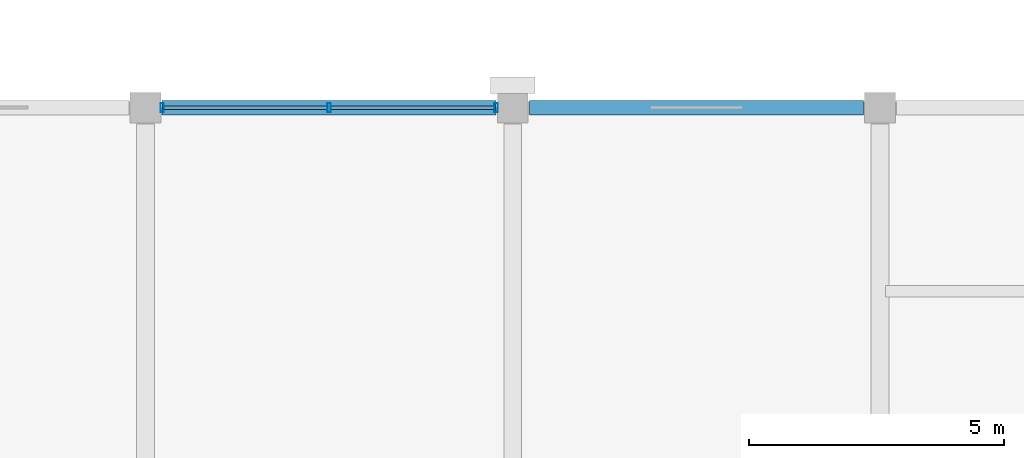
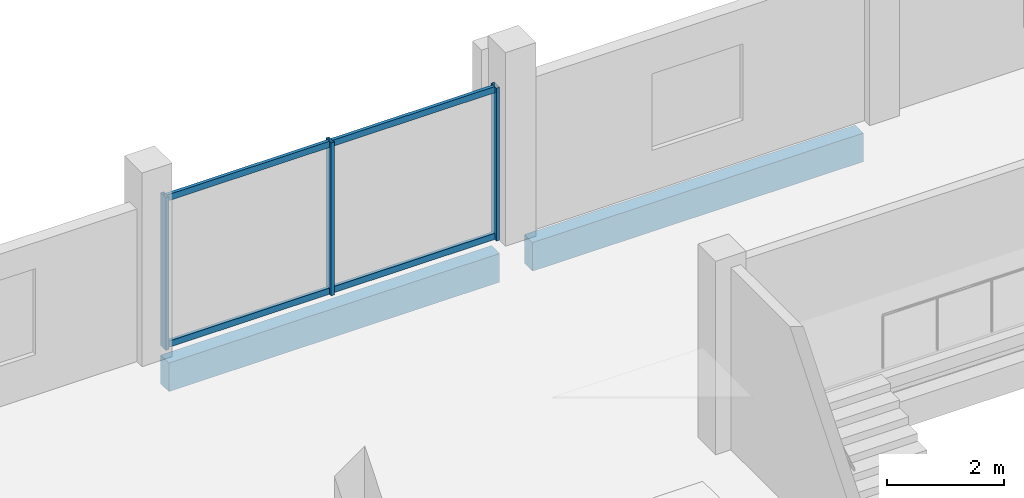
# One storey, part 21 of 108: 7 members, 2 beams, 1 element without a shape of its own.
"""IFC4 building model written with IfcOpenShell, lengths in metres."""

from ifc_helpers import new_model, si_unit, direction, frame, origin, origin_2d, place, context, subcontext, project, spatial, rectangle, hollow_rectangle, extrude, material, layer, layer_set, material_profile, profile_set, type_object, element, aggregate, save


model = new_model("IFC4")

# Units and contexts
model_context = context("Model", 3, precision=1e-05, world=origin(), true_north=direction((0.0, 1.0)))
body_context = subcontext(model_context, "Body", "Model", "MODEL_VIEW")
ifc_project = project(units=[si_unit("LENGTHUNIT", "METRE"), si_unit("AREAUNIT", "SQUARE_METRE"), si_unit("VOLUMEUNIT", "CUBIC_METRE"), si_unit("PLANEANGLEUNIT", "RADIAN"), si_unit("MASSUNIT", "GRAM", prefix="KILO")], contexts=[model_context])

# Site, building, storey
site_placement = place(None, origin())
site = spatial("IfcSite", under=ifc_project, at=site_placement, CompositionType="ELEMENT")
building_placement = place(site_placement, origin())
building = spatial("IfcBuilding", under=site, at=building_placement, Name="Kangsadwip Square Police Headquarters", CompositionType="ELEMENT")
storey_placement = place(building_placement, frame((0.0, 0.0, 9.449951171875)))
storey = spatial("IfcBuildingStorey", under=building, at=storey_placement, Name="L02", CompositionType="ELEMENT", Elevation=9.449951171875)

# Curtain wall, members
ifc_material_1 = material(Name="Thermally broken anodised aluminium AW-6063-T6", Category="aluminium")
ifc_layer = layer(ifc_material_1, 0.159912109375)
ifc_layer_set = layer_set([ifc_layer], Name="Thermally broken anodised aluminium AW-6063-T6")
curtain_wall_type = type_object("IfcCurtainWallType", Name="UnitisedCw6610x3200", PredefinedType="NOTDEFINED", material=ifc_layer_set)
curtain_wall_placement = place(storey_placement, origin())
curtain_wall = element("IfcCurtainWall", 1, at=curtain_wall_placement, inside=storey, type_object=curtain_wall_type, Name="Curtain Wall CW-L02-0075-1152", PredefinedType="NOTDEFINED")
ifc_material_2 = material(Name="Thermally broken anodised aluminium AW-6063-T6", Category="aluminium")
ifc_material_profile_1 = material_profile(ifc_material_2, hollow_rectangle(XDim=0.06494140625, YDim=0.179931640625, WallThickness=0.00390625, at=origin_2d()), Name="CWM 180X65X4")
ifc_profile_set_1 = profile_set([ifc_material_profile_1], Name="Thermally broken anodised aluminium AW-6063-T6")
member_type_1 = type_object("IfcMemberType", Name="CwMullion160x65", PredefinedType="MULLION", material=ifc_profile_set_1)
member_1_placement = place(storey_placement, frame((7.527587890625, 115.199951171875, 0.0), z_axis=(0.0, 0.0, 1.0), x_axis=(1.0, 0.0, 0.0)))
member_1 = element("IfcMember", 2, at=member_1_placement, type_object=member_type_1, Name="CW-28 mullion 1", PredefinedType="MULLION", context=body_context, shape_type="SweptSolid", body=[
    extrude(hollow_rectangle(XDim=0.06494140625, YDim=0.179931640625, WallThickness=0.00390625, at=origin_2d()), origin(), (0.0, 0.0, 1.0), 3.199951171875),
])
member_2_placement = place(storey_placement, frame((10.800048828125, 115.199951171875, 0.0), z_axis=(0.0, 0.0, 1.0), x_axis=(1.0, 0.0, 0.0)))
member_2 = element("IfcMember", 3, at=member_2_placement, type_object=member_type_1, Name="CW-28 mullion 2", PredefinedType="MULLION", context=body_context, shape_type="SweptSolid", body=[
    extrude(hollow_rectangle(XDim=0.06494140625, YDim=0.179931640625, WallThickness=0.00390625, at=origin_2d()), origin(), (0.0, 0.0, 1.0), 3.199951171875),
])
member_3_placement = place(storey_placement, frame((14.072509765625, 115.199951171875, 0.0), z_axis=(0.0, 0.0, 1.0), x_axis=(1.0, 0.0, 0.0)))
member_3 = element("IfcMember", 4, at=member_3_placement, type_object=member_type_1, Name="CW-28 mullion 3", PredefinedType="MULLION", context=body_context, shape_type="SweptSolid", body=[
    extrude(hollow_rectangle(XDim=0.06494140625, YDim=0.179931640625, WallThickness=0.00390625, at=origin_2d()), origin(), (0.0, 0.0, 1.0), 3.199951171875),
])
ifc_material_3 = material(Name="Thermally broken anodised aluminium AW-6063-T6", Category="aluminium")
ifc_material_profile_2 = material_profile(ifc_material_3, hollow_rectangle(XDim=0.06494140625, YDim=0.1298828125, WallThickness=0.00390625, at=origin_2d()), Name="CWT 130X65X4")
ifc_profile_set_2 = profile_set([ifc_material_profile_2], Name="Thermally broken anodised aluminium AW-6063-T6")
member_type_2 = type_object("IfcMemberType", Name="CwTransom140x60", PredefinedType="USERDEFINED", material=ifc_profile_set_2)
member_4_placement = place(storey_placement, frame((7.56005859375, 115.199951171875, 0.06494140625), z_axis=(1.0, 0.0, 0.0), x_axis=(0.0, 1.0, 0.0)))
member_4 = element("IfcMember", 5, at=member_4_placement, type_object=member_type_2, Name="CW-28 transom 1.1", ObjectType="TRANSOM", PredefinedType="USERDEFINED", context=body_context, shape_type="SweptSolid", body=[
    extrude(hollow_rectangle(XDim=0.06494140625, YDim=0.1298828125, WallThickness=0.00390625, at=origin_2d()), origin(), (0.0, 0.0, 1.0), 3.20751953125),
])
member_5_placement = place(storey_placement, frame((7.56005859375, 115.199951171875, 3.135009765625), z_axis=(1.0, 0.0, 0.0), x_axis=(0.0, 1.0, 0.0)))
member_5 = element("IfcMember", 6, at=member_5_placement, type_object=member_type_2, Name="CW-28 transom 1.2", ObjectType="TRANSOM", PredefinedType="USERDEFINED", context=body_context, shape_type="SweptSolid", body=[
    extrude(hollow_rectangle(XDim=0.06494140625, YDim=0.1298828125, WallThickness=0.00390625, at=origin_2d()), origin(), (0.0, 0.0, 1.0), 3.20751953125),
])
member_6_placement = place(storey_placement, frame((10.83251953125, 115.199951171875, 0.06494140625), z_axis=(1.0, 0.0, 0.0), x_axis=(0.0, 1.0, 0.0)))
member_6 = element("IfcMember", 7, at=member_6_placement, type_object=member_type_2, Name="CW-28 transom 2.1", ObjectType="TRANSOM", PredefinedType="USERDEFINED", context=body_context, shape_type="SweptSolid", body=[
    extrude(hollow_rectangle(XDim=0.06494140625, YDim=0.1298828125, WallThickness=0.00390625, at=origin_2d()), origin(), (0.0, 0.0, 1.0), 3.20751953125),
])
member_7_placement = place(storey_placement, frame((10.83251953125, 115.199951171875, 3.135009765625), z_axis=(1.0, 0.0, 0.0), x_axis=(0.0, 1.0, 0.0)))
member_7 = element("IfcMember", 8, at=member_7_placement, type_object=member_type_2, Name="CW-28 transom 2.2", ObjectType="TRANSOM", PredefinedType="USERDEFINED", context=body_context, shape_type="SweptSolid", body=[
    extrude(hollow_rectangle(XDim=0.06494140625, YDim=0.1298828125, WallThickness=0.00390625, at=origin_2d()), origin(), (0.0, 0.0, 1.0), 3.20751953125),
])
aggregate(curtain_wall, [member_1, member_2, member_3, member_4, member_5, member_6, member_7])

# Beams
ifc_material_4 = material(Name="Concrete M40 (40 MPa)", Category="concrete")
ifc_material_profile_3 = material_profile(ifc_material_4, rectangle(XDim=0.280029296875, YDim=0.60009765625, at=origin_2d()), Name="RC SPN 600X280")
ifc_profile_set_3 = profile_set([ifc_material_profile_3], Name="Concrete M40 (40 MPa)")
beam_type = type_object("IfcBeamType", Name="RcSpandrel600x280", PredefinedType="SPANDREL", material=ifc_profile_set_3)
beam_1_placement = place(storey_placement, frame((7.52490234375, 115.199951171875, -0.5400390625), z_axis=(1.0, 0.0, 0.0), x_axis=(0.0, 1.0, 0.0)))
element("IfcBeam", 9, at=beam_1_placement, inside=storey, type_object=beam_type, Name="Beam BM-L02-X-01-16", PredefinedType="SPANDREL", context=body_context, shape_type="SweptSolid", body=[
    extrude(rectangle(XDim=0.280029296875, YDim=0.60009765625, at=origin_2d()), origin(), (0.0, 0.0, 1.0), 6.550048828125),
])
beam_2_placement = place(storey_placement, frame((14.72509765625, 115.199951171875, -0.5400390625), z_axis=(1.0, 0.0, 0.0), x_axis=(0.0, 1.0, 0.0)))
element("IfcBeam", 10, at=beam_2_placement, inside=storey, type_object=beam_type, Name="Beam BM-L02-X-02-16", PredefinedType="SPANDREL", context=body_context, shape_type="SweptSolid", body=[
    extrude(rectangle(XDim=0.280029296875, YDim=0.60009765625, at=origin_2d()), origin(), (0.0, 0.0, 1.0), 6.5498046875),
])

save(model, "model.ifc")
